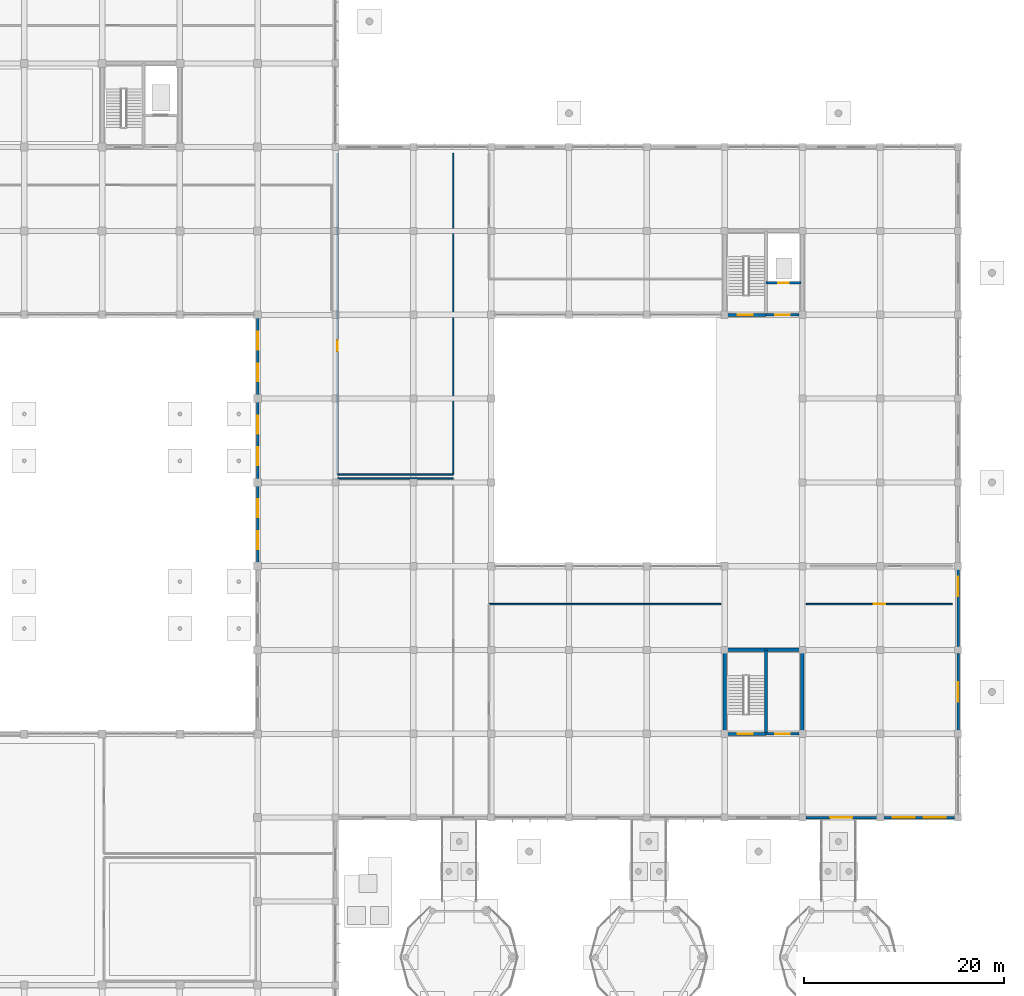
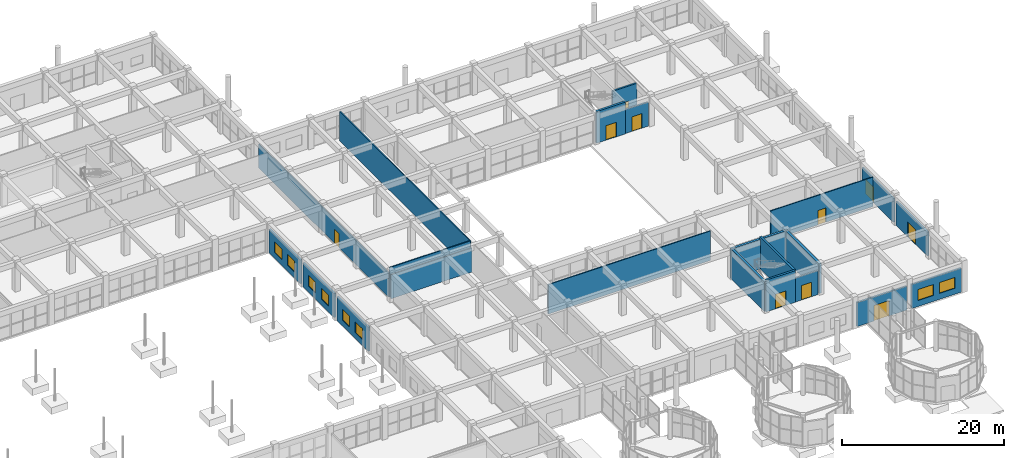
# One storey, part 129 of 139: 22 walls, 10 doors, 8 windows, 18 openings.
"""IFC4 building model written with IfcOpenShell, lengths in metres."""

from ifc_helpers import new_model, si_unit, direction, frame, frame_2d, origin, place, context, subcontext, project, spatial, rectangle, extrude, material, layer, layer_set, type_object, element, fill, save


model = new_model("IFC4")

# Units and contexts
model_context = context("Model", 3, precision=1e-05, world=origin(), true_north=direction((0.0, 1.0)))
body_context = subcontext(model_context, "Body", "Model", "MODEL_VIEW")
ifc_project = project(units=[si_unit("LENGTHUNIT", "METRE"), si_unit("AREAUNIT", "SQUARE_METRE"), si_unit("VOLUMEUNIT", "CUBIC_METRE"), si_unit("PLANEANGLEUNIT", "RADIAN"), si_unit("MASSUNIT", "GRAM", prefix="KILO")], contexts=[model_context])

# Site, building, storey
site_placement = place(None, origin())
site = spatial("IfcSite", under=ifc_project, at=site_placement, CompositionType="ELEMENT")
building_placement = place(site_placement, origin())
building = spatial("IfcBuilding", under=site, at=building_placement, Name="Zizhar Promenade General Hospital", CompositionType="ELEMENT")
storey_placement = place(building_placement, origin())
storey = spatial("IfcBuildingStorey", under=building, at=storey_placement, Name="L00", CompositionType="ELEMENT", Elevation=0.0)

# Wall, opening, door
ifc_material_1 = material(Name="Precast concrete C40/50", Category="concrete")
ifc_layer_1 = layer(ifc_material_1, 0.235107421875)
ifc_layer_set_1 = layer_set([ifc_layer_1], Name="Precast concrete C40/50")
wall_type_1 = type_object("IfcWallType", Name="EW-CLN-235", PredefinedType="STANDARD", material=ifc_layer_set_1)
wall_1_placement = place(storey_placement, frame((195.0, 58.4599609375, 0.0), z_axis=(0.0, 0.0, 1.0), x_axis=(0.0, -1.0, 0.0)))
wall_1 = element("IfcWall", 1, at=wall_1_placement, inside=storey, type_object=wall_type_1, Name="Outpatient East Wall L00-6", PredefinedType="STANDARD", context=body_context, shape_type="SweptSolid", body=[
    extrude(rectangle(XDim=7.719970703125, YDim=0.235107421875, at=frame_2d((3.85986328125, 0.0))), origin(), (0.0, 0.0, 1.0), 3.614990234375),
])
opening_1_placement = place(wall_1_placement, frame((2.8798828125, 0.0, 0.0)))
opening_1 = element("IfcOpeningElement", 2, at=opening_1_placement, cuts=wall_1, Name="Opening ED-02", PredefinedType="OPENING", context=body_context, shape_type="SweptSolid", body=[
    extrude(rectangle(XDim=1.9599609375, YDim=2.199951171875, at=frame_2d((0.97998046875, 1.10009765625))), frame((0.0, 0.12744140625, 0.0), z_axis=(0.0, -1.0, 0.0), x_axis=(1.0, 0.0, 0.0)), (0.0, 0.0, 1.0), 0.255126953125),
])
ifc_material_2 = material(Name="Anodised aluminium 6063-T6 and laminated safety glass", Category="aluminium")
door_type_1 = type_object("IfcDoorType", Name="DR-EXT-EXIT-196x220", OperationType="DOUBLE_DOOR_SINGLE_SWING", PredefinedType="DOOR", material=ifc_material_2)
door_1_placement = place(opening_1_placement, origin())
door_1 = element("IfcDoor", 3, at=door_1_placement, inside=storey, type_object=door_type_1, Name="Outpatient East Final Exit 6", OperationType="DOUBLE_DOOR_SINGLE_SWING", OverallHeight=2.199951171875, OverallWidth=1.9599609375, PredefinedType="DOOR", context=body_context, shape_type="SweptSolid", body=[
    extrude(rectangle(XDim=1.9599609375, YDim=2.199951171875, at=frame_2d((0.97998046875, 1.10009765625))), frame((0.0, 0.02490234375, 0.0), z_axis=(0.0, -1.0, 0.0), x_axis=(1.0, 0.0, 0.0)), (0.0, 0.0, 1.0), 0.050048828125),
])
fill(opening_1, door_1)

wall_2_placement = place(storey_placement, frame((195.0, 66.860107421875, 0.0), z_axis=(0.0, 0.0, 1.0), x_axis=(0.0, -1.0, 0.0)))
wall_2 = element("IfcWall", 4, at=wall_2_placement, inside=storey, type_object=wall_type_1, Name="Outpatient East Wall L00-7", PredefinedType="STANDARD", context=body_context, shape_type="SweptSolid", body=[
    extrude(rectangle(XDim=7.72021484375, YDim=0.235107421875, at=frame_2d((3.860107421875, 0.0))), origin(), (0.0, 0.0, 1.0), 3.614990234375),
])
opening_2_placement = place(wall_2_placement, frame((0.718505859375, 0.0, 0.0)))
opening_2 = element("IfcOpeningElement", 5, at=opening_2_placement, cuts=wall_2, Name="Opening ED-02", PredefinedType="OPENING", context=body_context, shape_type="SweptSolid", body=[
    extrude(rectangle(XDim=1.9599609375, YDim=2.199951171875, at=frame_2d((0.97998046875, 1.10009765625))), frame((0.0, 0.12744140625, 0.0), z_axis=(0.0, -1.0, 0.0), x_axis=(1.0, 0.0, 0.0)), (0.0, 0.0, 1.0), 0.255126953125),
])
door_2_placement = place(opening_2_placement, origin())
door_2 = element("IfcDoor", 6, at=door_2_placement, inside=storey, type_object=door_type_1, Name="Outpatient East Final Exit 7", OperationType="DOUBLE_DOOR_SINGLE_SWING", OverallHeight=2.199951171875, OverallWidth=1.9599609375, PredefinedType="DOOR", context=body_context, shape_type="SweptSolid", body=[
    extrude(rectangle(XDim=1.9599609375, YDim=2.199951171875, at=frame_2d((0.97998046875, 1.10009765625))), frame((0.0, 0.02490234375, 0.0), z_axis=(0.0, -1.0, 0.0), x_axis=(1.0, 0.0, 0.0)), (0.0, 0.0, 1.0), 0.050048828125),
])
fill(opening_2, door_2)

wall_3_placement = place(storey_placement, frame((186.860107421875, 42.0, 0.0), z_axis=(0.0, 0.0, 1.0), x_axis=(-1.0, 0.0, 0.0)))
wall_3 = element("IfcWall", 7, at=wall_3_placement, inside=storey, type_object=wall_type_1, Name="Outpatient Pavilion Link Portal Wall 23", PredefinedType="STANDARD", context=body_context, shape_type="SweptSolid", body=[
    extrude(rectangle(XDim=7.1201171875, YDim=0.235107421875, at=frame_2d((3.56005859375, 0.0))), origin(), (0.0, 0.0, 1.0), 3.6298828125),
])
opening_3_placement = place(wall_3_placement, frame((2.4599609375, 0.0, 0.0)))
opening_3 = element("IfcOpeningElement", 8, at=opening_3_placement, cuts=wall_3, Name="Opening ED-01", PredefinedType="OPENING", context=body_context, shape_type="SweptSolid", body=[
    extrude(rectangle(XDim=2.199951171875, YDim=2.35009765625, at=frame_2d((1.10009765625, 1.175048828125))), frame((0.0, 0.12744140625, 0.0), z_axis=(0.0, -1.0, 0.0), x_axis=(1.0, 0.0, 0.0)), (0.0, 0.0, 1.0), 0.255126953125),
])
ifc_material_3 = material(Name="Anodised aluminium 6063-T6 and laminated safety glass", Category="aluminium")
door_type_2 = type_object("IfcDoorType", Name="DR-EXT-MAIN-220x235", OperationType="DOUBLE_DOOR_SINGLE_SWING", PredefinedType="DOOR", material=ifc_material_3)
door_3_placement = place(opening_3_placement, origin())
door_3 = element("IfcDoor", 9, at=door_3_placement, inside=storey, type_object=door_type_2, Name="Pavilion Link Forecourt Portal 23", OperationType="DOUBLE_DOOR_SINGLE_SWING", OverallHeight=2.35009765625, OverallWidth=2.199951171875, PredefinedType="DOOR", context=body_context, shape_type="SweptSolid", body=[
    extrude(rectangle(XDim=2.199951171875, YDim=2.35009765625, at=frame_2d((1.10009765625, 1.175048828125))), frame((0.0, 0.02490234375, 0.0), z_axis=(0.0, -1.0, 0.0), x_axis=(1.0, 0.0, 0.0)), (0.0, 0.0, 1.0), 0.050048828125),
])
fill(opening_3, door_3)

# Wall, openings, windows
wall_4_placement = place(storey_placement, frame((194.659912109375, 42.0, 0.0), z_axis=(0.0, 0.0, 1.0), x_axis=(-1.0, 0.0, 0.0)))
wall_4 = element("IfcWall", 10, at=wall_4_placement, inside=storey, type_object=wall_type_1, Name="Outpatient Forecourt South Wall L00-24", PredefinedType="STANDARD", context=body_context, shape_type="SweptSolid", body=[
    extrude(rectangle(XDim=7.119873046875, YDim=0.235107421875, at=frame_2d((3.56005859375, 0.0))), origin(), (0.0, 0.0, 1.0), 3.6298828125),
])
opening_4_placement = place(wall_4_placement, frame((0.90673828125, 0.0, 0.89990234375)))
opening_4 = element("IfcOpeningElement", 11, at=opening_4_placement, cuts=wall_4, Name="Opening W-07", PredefinedType="OPENING", context=body_context, shape_type="SweptSolid", body=[
    extrude(rectangle(XDim=2.199951171875, YDim=1.64990234375, at=frame_2d((1.10009765625, 0.824951171875))), frame((0.0, 0.12744140625, 0.0), z_axis=(0.0, -1.0, 0.0), x_axis=(1.0, 0.0, 0.0)), (0.0, 0.0, 1.0), 0.255126953125),
])
opening_5_placement = place(wall_4_placement, frame((4.01318359375, 0.0, 0.89990234375)))
opening_5 = element("IfcOpeningElement", 12, at=opening_5_placement, cuts=wall_4, Name="Opening W-07", PredefinedType="OPENING", context=body_context, shape_type="SweptSolid", body=[
    extrude(rectangle(XDim=2.199951171875, YDim=1.64990234375, at=frame_2d((1.10009765625, 0.824951171875))), frame((0.0, 0.12744140625, 0.0), z_axis=(0.0, -1.0, 0.0), x_axis=(1.0, 0.0, 0.0)), (0.0, 0.0, 1.0), 0.255126953125),
])
ifc_material_4 = material(Name="Anodised aluminium 6063-T6 and low-E glass", Category="aluminium")
window_type_1 = type_object("IfcWindowType", Name="WIN-CLN-220x165", PartitioningType="DOUBLE_PANEL_VERTICAL", PredefinedType="WINDOW", material=ifc_material_4)
window_1_placement = place(opening_4_placement, origin())
window_1 = element("IfcWindow", 13, at=window_1_placement, inside=storey, type_object=window_type_1, Name="Outpatient Forecourt South Wall L00-24 Window 1", OverallHeight=1.64990234375, OverallWidth=2.199951171875, PartitioningType="SINGLE_PANEL", PredefinedType="WINDOW", context=body_context, shape_type="SweptSolid", body=[
    extrude(rectangle(XDim=2.199951171875, YDim=1.64990234375, at=frame_2d((1.10009765625, 0.824951171875))), frame((0.0, 0.030029296875, 0.0), z_axis=(0.0, -1.0, 0.0), x_axis=(1.0, 0.0, 0.0)), (0.0, 0.0, 1.0), 0.06005859375),
])
fill(opening_4, window_1)
window_2_placement = place(opening_5_placement, origin())
window_2 = element("IfcWindow", 14, at=window_2_placement, inside=storey, type_object=window_type_1, Name="Outpatient Forecourt South Wall L00-24 Window 2", OverallHeight=1.64990234375, OverallWidth=2.199951171875, PartitioningType="SINGLE_PANEL", PredefinedType="WINDOW", context=body_context, shape_type="SweptSolid", body=[
    extrude(rectangle(XDim=2.199951171875, YDim=1.64990234375, at=frame_2d((1.10009765625, 0.824951171875))), frame((0.0, 0.030029296875, 0.0), z_axis=(0.0, -1.0, 0.0), x_axis=(1.0, 0.0, 0.0)), (0.0, 0.0, 1.0), 0.06005859375),
])
fill(opening_5, window_2)

ifc_material_5 = material(Name="Precast concrete C40/50", Category="concrete")
ifc_layer_2 = layer(ifc_material_5, 0.260009765625)
ifc_layer_set_2 = layer_set([ifc_layer_2], Name="Precast concrete C40/50")
wall_type_2 = type_object("IfcWallType", Name="EW-PC-260", PredefinedType="STANDARD", material=ifc_layer_set_2)
wall_5_placement = place(storey_placement, frame((124.800048828125, 75.260009765625, 0.0), z_axis=(0.0, 0.0, 1.0), x_axis=(0.0, -1.0, 0.0)))
wall_5 = element("IfcWall", 15, at=wall_5_placement, inside=storey, type_object=wall_type_2, Name="Garden Court East Wall L00-8", PredefinedType="STANDARD", context=body_context, shape_type="SweptSolid", body=[
    extrude(rectangle(XDim=7.719970703125, YDim=0.260009765625, at=frame_2d((3.85986328125, 0.0))), origin(), (0.0, 0.0, 1.0), 3.614990234375),
])
opening_6_placement = place(wall_5_placement, frame((1.373291015625, 0.0, 0.89990234375)))
opening_6 = element("IfcOpeningElement", 16, at=opening_6_placement, cuts=wall_5, Name="Opening W-08", PredefinedType="OPENING", context=body_context, shape_type="SweptSolid", body=[
    extrude(rectangle(XDim=1.800048828125, YDim=1.64990234375, at=frame_2d((0.89990234375, 0.824951171875))), frame((0.0, 0.14013671875, 0.0), z_axis=(0.0, -1.0, 0.0), x_axis=(1.0, 0.0, 0.0)), (0.0, 0.0, 1.0), 0.280029296875),
])
opening_7_placement = place(wall_5_placement, frame((4.546630859375, 0.0, 0.89990234375)))
opening_7 = element("IfcOpeningElement", 17, at=opening_7_placement, cuts=wall_5, Name="Opening W-08", PredefinedType="OPENING", context=body_context, shape_type="SweptSolid", body=[
    extrude(rectangle(XDim=1.800048828125, YDim=1.64990234375, at=frame_2d((0.89990234375, 0.824951171875))), frame((0.0, 0.14013671875, 0.0), z_axis=(0.0, -1.0, 0.0), x_axis=(1.0, 0.0, 0.0)), (0.0, 0.0, 1.0), 0.280029296875),
])
ifc_material_6 = material(Name="Anodised aluminium 6063-T6 and low-E glass", Category="aluminium")
window_type_2 = type_object("IfcWindowType", Name="WIN-CLN-180x165", PartitioningType="DOUBLE_PANEL_VERTICAL", PredefinedType="WINDOW", material=ifc_material_6)
window_3_placement = place(opening_6_placement, origin())
window_3 = element("IfcWindow", 18, at=window_3_placement, inside=storey, type_object=window_type_2, Name="Garden Court East Wall L00-8 Window 1", OverallHeight=1.64990234375, OverallWidth=1.800048828125, PartitioningType="SINGLE_PANEL", PredefinedType="WINDOW", context=body_context, shape_type="SweptSolid", body=[
    extrude(rectangle(XDim=1.800048828125, YDim=1.64990234375, at=frame_2d((0.89990234375, 0.824951171875))), frame((0.0, 0.030029296875, 0.0), z_axis=(0.0, -1.0, 0.0), x_axis=(1.0, 0.0, 0.0)), (0.0, 0.0, 1.0), 0.06005859375),
])
fill(opening_6, window_3)
window_4_placement = place(opening_7_placement, origin())
window_4 = element("IfcWindow", 19, at=window_4_placement, inside=storey, type_object=window_type_2, Name="Garden Court East Wall L00-8 Window 2", OverallHeight=1.64990234375, OverallWidth=1.800048828125, PartitioningType="SINGLE_PANEL", PredefinedType="WINDOW", context=body_context, shape_type="SweptSolid", body=[
    extrude(rectangle(XDim=1.800048828125, YDim=1.64990234375, at=frame_2d((0.89990234375, 0.824951171875))), frame((0.0, 0.030029296875, 0.0), z_axis=(0.0, -1.0, 0.0), x_axis=(1.0, 0.0, 0.0)), (0.0, 0.0, 1.0), 0.06005859375),
])
fill(opening_7, window_4)

wall_6_placement = place(storey_placement, frame((124.800048828125, 83.659912109375, 0.0), z_axis=(0.0, 0.0, 1.0), x_axis=(0.0, -1.0, 0.0)))
wall_6 = element("IfcWall", 20, at=wall_6_placement, inside=storey, type_object=wall_type_2, Name="Garden Court East Wall L00-9", PredefinedType="STANDARD", context=body_context, shape_type="SweptSolid", body=[
    extrude(rectangle(XDim=7.719970703125, YDim=0.260009765625, at=frame_2d((3.85986328125, 0.0))), origin(), (0.0, 0.0, 1.0), 3.614990234375),
])
opening_8_placement = place(wall_6_placement, frame((1.373291015625, 0.0, 0.89990234375)))
opening_8 = element("IfcOpeningElement", 21, at=opening_8_placement, cuts=wall_6, Name="Opening W-08", PredefinedType="OPENING", context=body_context, shape_type="SweptSolid", body=[
    extrude(rectangle(XDim=1.800048828125, YDim=1.64990234375, at=frame_2d((0.89990234375, 0.824951171875))), frame((0.0, 0.14013671875, 0.0), z_axis=(0.0, -1.0, 0.0), x_axis=(1.0, 0.0, 0.0)), (0.0, 0.0, 1.0), 0.280029296875),
])
opening_9_placement = place(wall_6_placement, frame((4.546630859375, 0.0, 0.89990234375)))
opening_9 = element("IfcOpeningElement", 22, at=opening_9_placement, cuts=wall_6, Name="Opening W-08", PredefinedType="OPENING", context=body_context, shape_type="SweptSolid", body=[
    extrude(rectangle(XDim=1.800048828125, YDim=1.64990234375, at=frame_2d((0.89990234375, 0.824951171875))), frame((0.0, 0.14013671875, 0.0), z_axis=(0.0, -1.0, 0.0), x_axis=(1.0, 0.0, 0.0)), (0.0, 0.0, 1.0), 0.280029296875),
])
window_5_placement = place(opening_8_placement, origin())
window_5 = element("IfcWindow", 23, at=window_5_placement, inside=storey, type_object=window_type_2, Name="Garden Court East Wall L00-9 Window 1", OverallHeight=1.64990234375, OverallWidth=1.800048828125, PartitioningType="SINGLE_PANEL", PredefinedType="WINDOW", context=body_context, shape_type="SweptSolid", body=[
    extrude(rectangle(XDim=1.800048828125, YDim=1.64990234375, at=frame_2d((0.89990234375, 0.824951171875))), frame((0.0, 0.030029296875, 0.0), z_axis=(0.0, -1.0, 0.0), x_axis=(1.0, 0.0, 0.0)), (0.0, 0.0, 1.0), 0.06005859375),
])
fill(opening_8, window_5)
window_6_placement = place(opening_9_placement, origin())
window_6 = element("IfcWindow", 24, at=window_6_placement, inside=storey, type_object=window_type_2, Name="Garden Court East Wall L00-9 Window 2", OverallHeight=1.64990234375, OverallWidth=1.800048828125, PartitioningType="SINGLE_PANEL", PredefinedType="WINDOW", context=body_context, shape_type="SweptSolid", body=[
    extrude(rectangle(XDim=1.800048828125, YDim=1.64990234375, at=frame_2d((0.89990234375, 0.824951171875))), frame((0.0, 0.030029296875, 0.0), z_axis=(0.0, -1.0, 0.0), x_axis=(1.0, 0.0, 0.0)), (0.0, 0.0, 1.0), 0.06005859375),
])
fill(opening_9, window_6)

wall_7_placement = place(storey_placement, frame((124.800048828125, 92.06005859375, 0.0), z_axis=(0.0, 0.0, 1.0), x_axis=(0.0, -1.0, 0.0)))
wall_7 = element("IfcWall", 25, at=wall_7_placement, inside=storey, type_object=wall_type_2, Name="Garden Court East Wall L00-10", PredefinedType="STANDARD", context=body_context, shape_type="SweptSolid", body=[
    extrude(rectangle(XDim=7.719970703125, YDim=0.260009765625, at=frame_2d((3.85986328125, 0.0))), origin(), (0.0, 0.0, 1.0), 3.614990234375),
])
opening_10_placement = place(wall_7_placement, frame((1.373291015625, 0.0, 0.89990234375)))
opening_10 = element("IfcOpeningElement", 26, at=opening_10_placement, cuts=wall_7, Name="Opening W-08", PredefinedType="OPENING", context=body_context, shape_type="SweptSolid", body=[
    extrude(rectangle(XDim=1.800048828125, YDim=1.64990234375, at=frame_2d((0.89990234375, 0.824951171875))), frame((0.0, 0.14013671875, 0.0), z_axis=(0.0, -1.0, 0.0), x_axis=(1.0, 0.0, 0.0)), (0.0, 0.0, 1.0), 0.280029296875),
])
opening_11_placement = place(wall_7_placement, frame((4.546630859375, 0.0, 0.89990234375)))
opening_11 = element("IfcOpeningElement", 27, at=opening_11_placement, cuts=wall_7, Name="Opening W-08", PredefinedType="OPENING", context=body_context, shape_type="SweptSolid", body=[
    extrude(rectangle(XDim=1.800048828125, YDim=1.64990234375, at=frame_2d((0.89990234375, 0.824951171875))), frame((0.0, 0.14013671875, 0.0), z_axis=(0.0, -1.0, 0.0), x_axis=(1.0, 0.0, 0.0)), (0.0, 0.0, 1.0), 0.280029296875),
])
window_7_placement = place(opening_10_placement, origin())
window_7 = element("IfcWindow", 28, at=window_7_placement, inside=storey, type_object=window_type_2, Name="Garden Court East Wall L00-10 Window 1", OverallHeight=1.64990234375, OverallWidth=1.800048828125, PartitioningType="SINGLE_PANEL", PredefinedType="WINDOW", context=body_context, shape_type="SweptSolid", body=[
    extrude(rectangle(XDim=1.800048828125, YDim=1.64990234375, at=frame_2d((0.89990234375, 0.824951171875))), frame((0.0, 0.030029296875, 0.0), z_axis=(0.0, -1.0, 0.0), x_axis=(1.0, 0.0, 0.0)), (0.0, 0.0, 1.0), 0.06005859375),
])
fill(opening_10, window_7)
window_8_placement = place(opening_11_placement, origin())
window_8 = element("IfcWindow", 29, at=window_8_placement, inside=storey, type_object=window_type_2, Name="Garden Court East Wall L00-10 Window 2", OverallHeight=1.64990234375, OverallWidth=1.800048828125, PartitioningType="SINGLE_PANEL", PredefinedType="WINDOW", context=body_context, shape_type="SweptSolid", body=[
    extrude(rectangle(XDim=1.800048828125, YDim=1.64990234375, at=frame_2d((0.89990234375, 0.824951171875))), frame((0.0, 0.030029296875, 0.0), z_axis=(0.0, -1.0, 0.0), x_axis=(1.0, 0.0, 0.0)), (0.0, 0.0, 1.0), 0.06005859375),
])
fill(opening_11, window_8)

# Walls
ifc_material_7 = material(Name="Clinical consultation partition")
ifc_layer_3 = layer(ifc_material_7, 0.14501953125)
ifc_layer_set_3 = layer_set([ifc_layer_3], Name="Clinical consultation partition")
wall_type_3 = type_object("IfcWallType", Name="IW-CLN-145", PredefinedType="PARTITIONING", material=ifc_layer_set_3)
wall_8_placement = place(storey_placement, frame((132.800048828125, 76.0, 0.0), z_axis=(0.0, 0.0, 1.0), x_axis=(1.0, 0.0, 0.0)))
element("IfcWall", 30, at=wall_8_placement, inside=storey, type_object=wall_type_3, Name="Outpatient Orthopaedic Clinic N Partition", PredefinedType="PARTITIONING", context=body_context, shape_type="SweptSolid", body=[
    extrude(rectangle(XDim=11.599853515625, YDim=0.14501953125, at=frame_2d((5.7998046875, 0.0))), origin(), (0.0, 0.0, 1.0), 3.6298828125),
])
wall_9_placement = place(storey_placement, frame((132.800048828125, 76.39990234375, 0.0), z_axis=(0.0, 0.0, 1.0), x_axis=(1.0, 0.0, 0.0)))
element("IfcWall", 31, at=wall_9_placement, inside=storey, type_object=wall_type_3, Name="Outpatient Fracture Plaster Clinic S Partition", PredefinedType="PARTITIONING", context=body_context, shape_type="SweptSolid", body=[
    extrude(rectangle(XDim=11.599853515625, YDim=0.14501953125, at=frame_2d((5.7998046875, 0.0))), origin(), (0.0, 0.0, 1.0), 4.4599609375),
])

# Wall, opening, door
wall_10_placement = place(storey_placement, frame((132.800048828125, 76.39990234375, 0.0), z_axis=(0.0, 0.0, 1.0), x_axis=(0.0, 1.0, 0.0)))
wall_10 = element("IfcWall", 32, at=wall_10_placement, inside=storey, type_object=wall_type_3, Name="Outpatient Fracture Plaster Clinic W Partition", PredefinedType="PARTITIONING", context=body_context, shape_type="SweptSolid", body=[
    extrude(rectangle(XDim=32.2001953125, YDim=0.14501953125, at=frame_2d((16.10009765625, 0.0))), origin(), (0.0, 0.0, 1.0), 3.614990234375),
])
opening_12_placement = place(wall_10_placement, frame((12.330078125, 0.0, 0.0)))
opening_12 = element("IfcOpeningElement", 33, at=opening_12_placement, cuts=wall_10, Name="Opening D-14", PredefinedType="OPENING", context=body_context, shape_type="SweptSolid", body=[
    extrude(rectangle(XDim=1.10009765625, YDim=2.14990234375, at=frame_2d((0.550048828125, 1.074951171875))), frame((0.0, 0.08251953125, 0.0), z_axis=(0.0, -1.0, 0.0), x_axis=(1.0, 0.0, 0.0)), (0.0, 0.0, 1.0), 0.1650390625),
])
ifc_material_8 = material(Name="Fire-rated timber consultation leaf", Category="wood")
door_type_3 = type_object("IfcDoorType", Name="DR-CLN-CONS-110x215", OperationType="NOTDEFINED", PredefinedType="DOOR", material=ifc_material_8)
door_4_placement = place(opening_12_placement, origin())
door_4 = element("IfcDoor", 34, at=door_4_placement, inside=storey, type_object=door_type_3, Name="Outpatient Fracture Plaster Clinic Door", OperationType="SINGLE_SWING_RIGHT", OverallHeight=2.14990234375, OverallWidth=1.10009765625, PredefinedType="DOOR", context=body_context, shape_type="SweptSolid", body=[
    extrude(rectangle(XDim=1.10009765625, YDim=2.14990234375, at=frame_2d((0.550048828125, 1.074951171875))), frame((0.0, 0.02490234375, 0.0), z_axis=(0.0, -1.0, 0.0), x_axis=(1.0, 0.0, 0.0)), (0.0, 0.0, 1.0), 0.050048828125),
])
fill(opening_12, door_4)

# Walls
wall_11_placement = place(storey_placement, frame((144.39990234375, 76.39990234375, 0.0), z_axis=(0.0, 0.0, 1.0), x_axis=(0.0, 1.0, 0.0)))
element("IfcWall", 35, at=wall_11_placement, inside=storey, type_object=wall_type_3, Name="Outpatient Fracture Plaster Clinic E Partition", PredefinedType="PARTITIONING", context=body_context, shape_type="SweptSolid", body=[
    extrude(rectangle(XDim=32.2001953125, YDim=0.14501953125, at=frame_2d((16.10009765625, 0.0))), origin(), (0.0, 0.0, 1.0), 4.4599609375),
])
wall_12_placement = place(storey_placement, frame((148.0, 63.39990234375, 0.0), z_axis=(0.0, 0.0, 1.0), x_axis=(1.0, 0.0, 0.0)))
element("IfcWall", 36, at=wall_12_placement, inside=storey, type_object=wall_type_3, Name="Rehabilitation Physiotherapy Gym N Partition", PredefinedType="PARTITIONING", context=body_context, shape_type="SweptSolid", body=[
    extrude(rectangle(XDim=23.199951171875, YDim=0.14501953125, at=frame_2d((11.60009765625, 0.0))), origin(), (0.0, 0.0, 1.0), 4.4599609375),
])

# Wall, opening, door
wall_13_placement = place(storey_placement, frame((179.800048828125, 63.39990234375, 0.0), z_axis=(0.0, 0.0, 1.0), x_axis=(1.0, 0.0, 0.0)))
wall_13 = element("IfcWall", 37, at=wall_13_placement, inside=storey, type_object=wall_type_3, Name="Hydrotherapy and Occupational Therapy Suite N Partition", PredefinedType="PARTITIONING", context=body_context, shape_type="SweptSolid", body=[
    extrude(rectangle(XDim=14.599853515625, YDim=0.14501953125, at=frame_2d((7.2998046875, 0.0))), origin(), (0.0, 0.0, 1.0), 4.4599609375),
])
opening_13_placement = place(wall_13_placement, frame((6.72509765625, 0.0, 0.0)))
opening_13 = element("IfcOpeningElement", 38, at=opening_13_placement, cuts=wall_13, Name="Opening D-15", PredefinedType="OPENING", context=body_context, shape_type="SweptSolid", body=[
    extrude(rectangle(XDim=1.14990234375, YDim=2.14990234375, at=frame_2d((0.574951171875, 1.074951171875))), frame((0.0, 0.08251953125, 0.0), z_axis=(0.0, -1.0, 0.0), x_axis=(1.0, 0.0, 0.0)), (0.0, 0.0, 1.0), 0.1650390625),
])
ifc_material_9 = material(Name="Fire-rated timber treatment leaf", Category="wood")
door_type_4 = type_object("IfcDoorType", Name="DR-CLN-TREAT-115x215", OperationType="NOTDEFINED", PredefinedType="DOOR", material=ifc_material_9)
door_5_placement = place(opening_13_placement, origin())
door_5 = element("IfcDoor", 39, at=door_5_placement, inside=storey, type_object=door_type_4, Name="Hydrotherapy and Occupational Therapy Suite Door", OperationType="SINGLE_SWING_RIGHT", OverallHeight=2.14990234375, OverallWidth=1.14990234375, PredefinedType="DOOR", context=body_context, shape_type="SweptSolid", body=[
    extrude(rectangle(XDim=1.14990234375, YDim=2.14990234375, at=frame_2d((0.574951171875, 1.074951171875))), frame((0.0, 0.02490234375, 0.0), z_axis=(0.0, -1.0, 0.0), x_axis=(1.0, 0.0, 0.0)), (0.0, 0.0, 1.0), 0.050048828125),
])
fill(opening_13, door_5)

ifc_material_10 = material(Name="Concrete C35/45", Category="concrete")
ifc_layer_4 = layer(ifc_material_10, 0.215087890625)
ifc_layer_set_4 = layer_set([ifc_layer_4], Name="Concrete C35/45")
wall_type_4 = type_object("IfcWallType", Name="IW-LOBBY-215", PredefinedType="STANDARD", material=ifc_layer_set_4)
wall_14_placement = place(storey_placement, frame((175.75, 92.39990234375, 0.0), z_axis=(0.0, 0.0, 1.0), x_axis=(1.0, 0.0, 0.0)))
wall_14 = element("IfcWall", 40, at=wall_14_placement, inside=storey, type_object=wall_type_4, Name="Core C8 Lift Lobby South Fire Wall (L00)", PredefinedType="STANDARD", context=body_context, shape_type="SweptSolid", body=[
    extrude(rectangle(XDim=3.2900390625, YDim=0.215087890625, at=frame_2d((1.64501953125, 0.0))), origin(), (0.0, 0.0, 1.0), 3.6298828125),
])
opening_14_placement = place(wall_14_placement, frame((0.925048828125, 0.0, 0.0)))
opening_14 = element("IfcOpeningElement", 41, at=opening_14_placement, cuts=wall_14, Name="Opening D-23", PredefinedType="OPENING", context=body_context, shape_type="SweptSolid", body=[
    extrude(rectangle(XDim=1.43994140625, YDim=2.199951171875, at=frame_2d((0.719970703125, 1.10009765625))), frame((0.0, 0.11767578125, 0.0), z_axis=(0.0, -1.0, 0.0), x_axis=(1.0, 0.0, 0.0)), (0.0, 0.0, 1.0), 0.235107421875),
])
ifc_material_11 = material(Name="Fire-rated timber lift lobby pair", Category="wood")
door_type_5 = type_object("IfcDoorType", Name="DR-LOBBY-PR-144x220", OperationType="DOUBLE_DOOR_SINGLE_SWING", PredefinedType="DOOR", material=ifc_material_11)
door_6_placement = place(opening_14_placement, origin())
door_6 = element("IfcDoor", 42, at=door_6_placement, inside=storey, type_object=door_type_5, Name="Core C8 Protected Lift Lobby Door (L00)", OperationType="DOUBLE_DOOR_SINGLE_SWING", OverallHeight=2.199951171875, OverallWidth=1.43994140625, PredefinedType="DOOR", context=body_context, shape_type="SweptSolid", body=[
    extrude(rectangle(XDim=1.43994140625, YDim=2.199951171875, at=frame_2d((0.719970703125, 1.10009765625))), frame((0.0, 0.02490234375, 0.0), z_axis=(0.0, -1.0, 0.0), x_axis=(1.0, 0.0, 0.0)), (0.0, 0.0, 1.0), 0.050048828125),
])
fill(opening_14, door_6)

wall_15_placement = place(storey_placement, frame((175.75, 50.39990234375, 0.0), z_axis=(0.0, 0.0, 1.0), x_axis=(1.0, 0.0, 0.0)))
wall_15 = element("IfcWall", 43, at=wall_15_placement, inside=storey, type_object=wall_type_4, Name="Core C9 Lift Lobby South Fire Wall (L00)", PredefinedType="STANDARD", context=body_context, shape_type="SweptSolid", body=[
    extrude(rectangle(XDim=3.2900390625, YDim=0.215087890625, at=frame_2d((1.64501953125, 0.0))), origin(), (0.0, 0.0, 1.0), 3.6298828125),
])
opening_15_placement = place(wall_15_placement, frame((0.925048828125, 0.0, 0.0)))
opening_15 = element("IfcOpeningElement", 44, at=opening_15_placement, cuts=wall_15, Name="Opening D-23", PredefinedType="OPENING", context=body_context, shape_type="SweptSolid", body=[
    extrude(rectangle(XDim=1.43994140625, YDim=2.199951171875, at=frame_2d((0.719970703125, 1.10009765625))), frame((0.0, 0.11767578125, 0.0), z_axis=(0.0, -1.0, 0.0), x_axis=(1.0, 0.0, 0.0)), (0.0, 0.0, 1.0), 0.235107421875),
])
door_7_placement = place(opening_15_placement, origin())
door_7 = element("IfcDoor", 45, at=door_7_placement, inside=storey, type_object=door_type_5, Name="Core C9 Protected Lift Lobby Door (L00)", OperationType="DOUBLE_DOOR_SINGLE_SWING", OverallHeight=2.199951171875, OverallWidth=1.43994140625, PredefinedType="DOOR", context=body_context, shape_type="SweptSolid", body=[
    extrude(rectangle(XDim=1.43994140625, YDim=2.199951171875, at=frame_2d((0.719970703125, 1.10009765625))), frame((0.0, 0.02490234375, 0.0), z_axis=(0.0, -1.0, 0.0), x_axis=(1.0, 0.0, 0.0)), (0.0, 0.0, 1.0), 0.050048828125),
])
fill(opening_15, door_7)

ifc_material_12 = material(Name="Concrete C35/45", Category="concrete")
ifc_layer_5 = layer(ifc_material_12, 0.25)
ifc_layer_set_5 = layer_set([ifc_layer_5], Name="Concrete C35/45")
wall_type_5 = type_object("IfcWallType", Name="IW-SHAFT-250", PredefinedType="STANDARD", material=ifc_layer_set_5)
wall_16_placement = place(storey_placement, frame((175.75, 95.60009765625, 0.0), z_axis=(0.0, 0.0, 1.0), x_axis=(1.0, 0.0, 0.0)))
wall_16 = element("IfcWall", 46, at=wall_16_placement, inside=storey, type_object=wall_type_5, Name="Core C8 Lift Shaft Landing Wall (L00)", PredefinedType="STANDARD", context=body_context, shape_type="SweptSolid", body=[
    extrude(rectangle(XDim=3.5, YDim=0.25, at=frame_2d((1.75, 0.0))), origin(), (0.0, 0.0, 1.0), 4.4599609375),
])
opening_16_placement = place(wall_16_placement, frame((1.199951171875, 0.0, 0.0)))
opening_16 = element("IfcOpeningElement", 47, at=opening_16_placement, cuts=wall_16, Name="Opening LD-11", PredefinedType="OPENING", context=body_context, shape_type="SweptSolid", body=[
    extrude(rectangle(XDim=1.10009765625, YDim=2.199951171875, at=frame_2d((0.550048828125, 1.10009765625))), frame((0.0, 0.135009765625, 0.0), z_axis=(0.0, -1.0, 0.0), x_axis=(1.0, 0.0, 0.0)), (0.0, 0.0, 1.0), 0.27001953125),
])
ifc_material_13 = material(Name="Stainless Steel S355 passenger lift landing door", Category="steel")
door_type_6 = type_object("IfcDoorType", Name="DR-LIFT-LD11", OperationType="SLIDING_TO_LEFT", PredefinedType="DOOR", material=ifc_material_13)
door_8_placement = place(opening_16_placement, origin())
door_8 = element("IfcDoor", 48, at=door_8_placement, inside=storey, type_object=door_type_6, Name="Lift LP-04 Sliding Landing Door (L00)", OperationType="SLIDING_TO_LEFT", OverallHeight=2.199951171875, OverallWidth=1.10009765625, PredefinedType="DOOR", context=body_context, shape_type="SweptSolid", body=[
    extrude(rectangle(XDim=1.10009765625, YDim=2.199951171875, at=frame_2d((0.550048828125, 1.10009765625))), frame((0.0, 0.02490234375, 0.0), z_axis=(0.0, -1.0, 0.0), x_axis=(1.0, 0.0, 0.0)), (0.0, 0.0, 1.0), 0.050048828125),
])
fill(opening_16, door_8)

ifc_material_14 = material(Name="Concrete C40/50", Category="concrete")
ifc_layer_6 = layer(ifc_material_14, 0.300048828125)
ifc_layer_set_6 = layer_set([ifc_layer_6], Name="Concrete C40/50")
wall_type_6 = type_object("IfcWallType", Name="WL-CORE-300", PredefinedType="SHEAR", material=ifc_layer_set_6)
wall_17_placement = place(storey_placement, frame((171.60009765625, 92.39990234375, 0.0), z_axis=(0.0, 0.0, 1.0), x_axis=(1.0, 0.0, 0.0)))
wall_17 = element("IfcWall", 49, at=wall_17_placement, inside=storey, type_object=wall_type_6, Name="Core C8 Stair South Fire Wall (L00)", PredefinedType="SHEAR", context=body_context, shape_type="SweptSolid", body=[
    extrude(rectangle(XDim=4.14990234375, YDim=0.300048828125, at=frame_2d((2.074951171875, 0.0))), origin(), (0.0, 0.0, 1.0), 4.800048828125),
])
opening_17_placement = place(wall_17_placement, frame((1.3349609375, 0.0, 0.0)))
opening_17 = element("IfcOpeningElement", 50, at=opening_17_placement, cuts=wall_17, Name="Opening D-20", PredefinedType="OPENING", context=body_context, shape_type="SweptSolid", body=[
    extrude(rectangle(XDim=1.47998046875, YDim=2.199951171875, at=frame_2d((0.739990234375, 1.10009765625))), frame((0.0, 0.16015625, 0.0), z_axis=(0.0, -1.0, 0.0), x_axis=(1.0, 0.0, 0.0)), (0.0, 0.0, 1.0), 0.320068359375),
])
ifc_material_15 = material(Name="Steel S355 fire-exit pair", Category="steel")
door_type_7 = type_object("IfcDoorType", Name="DR-STAIR-148x220", OperationType="DOUBLE_DOOR_SINGLE_SWING", PredefinedType="DOOR", material=ifc_material_15)
door_9_placement = place(opening_17_placement, origin())
door_9 = element("IfcDoor", 51, at=door_9_placement, inside=storey, type_object=door_type_7, Name="Exit Stair ST-08 Door (L00)", OperationType="DOUBLE_DOOR_SINGLE_SWING", OverallHeight=2.199951171875, OverallWidth=1.47998046875, PredefinedType="DOOR", context=body_context, shape_type="SweptSolid", body=[
    extrude(rectangle(XDim=1.47998046875, YDim=2.199951171875, at=frame_2d((0.739990234375, 1.10009765625))), frame((0.0, 0.02490234375, 0.0), z_axis=(0.0, -1.0, 0.0), x_axis=(1.0, 0.0, 0.0)), (0.0, 0.0, 1.0), 0.050048828125),
])
fill(opening_17, door_9)

wall_18_placement = place(storey_placement, frame((171.60009765625, 50.39990234375, 0.0), z_axis=(0.0, 0.0, 1.0), x_axis=(1.0, 0.0, 0.0)))
wall_18 = element("IfcWall", 52, at=wall_18_placement, inside=storey, type_object=wall_type_6, Name="Core C9 Stair South Fire Wall (L00)", PredefinedType="SHEAR", context=body_context, shape_type="SweptSolid", body=[
    extrude(rectangle(XDim=4.14990234375, YDim=0.300048828125, at=frame_2d((2.074951171875, 0.0))), origin(), (0.0, 0.0, 1.0), 4.800048828125),
])
opening_18_placement = place(wall_18_placement, frame((1.3349609375, 0.0, 0.0)))
opening_18 = element("IfcOpeningElement", 53, at=opening_18_placement, cuts=wall_18, Name="Opening D-20", PredefinedType="OPENING", context=body_context, shape_type="SweptSolid", body=[
    extrude(rectangle(XDim=1.47998046875, YDim=2.199951171875, at=frame_2d((0.739990234375, 1.10009765625))), frame((0.0, 0.16015625, 0.0), z_axis=(0.0, -1.0, 0.0), x_axis=(1.0, 0.0, 0.0)), (0.0, 0.0, 1.0), 0.320068359375),
])
door_10_placement = place(opening_18_placement, origin())
door_10 = element("IfcDoor", 54, at=door_10_placement, inside=storey, type_object=door_type_7, Name="Exit Stair ST-09 Door (L00)", OperationType="DOUBLE_DOOR_SINGLE_SWING", OverallHeight=2.199951171875, OverallWidth=1.47998046875, PredefinedType="DOOR", context=body_context, shape_type="SweptSolid", body=[
    extrude(rectangle(XDim=1.47998046875, YDim=2.199951171875, at=frame_2d((0.739990234375, 1.10009765625))), frame((0.0, 0.02490234375, 0.0), z_axis=(0.0, -1.0, 0.0), x_axis=(1.0, 0.0, 0.0)), (0.0, 0.0, 1.0), 0.050048828125),
])
fill(opening_18, door_10)

# Walls
wall_19_placement = place(storey_placement, frame((175.75, 50.39990234375, 0.0), z_axis=(0.0, 0.0, 1.0), x_axis=(0.0, 1.0, 0.0)))
element("IfcWall", 55, at=wall_19_placement, inside=storey, type_object=wall_type_6, Name="Core C9 Stair-Shaft Separation Wall (L00)", PredefinedType="SHEAR", context=body_context, shape_type="SweptSolid", body=[
    extrude(rectangle(XDim=8.400146484375, YDim=0.300048828125, at=frame_2d((4.2001953125, 0.0))), origin(), (0.0, 0.0, 1.0), 4.800048828125),
])
ifc_material_16 = material(Name="Concrete C40/50", Category="concrete")
ifc_layer_7 = layer(ifc_material_16, 0.35009765625)
ifc_layer_set_7 = layer_set([ifc_layer_7], Name="Concrete C40/50")
wall_type_7 = type_object("IfcWallType", Name="WL-CORE-350", PredefinedType="SHEAR", material=ifc_layer_set_7)
wall_20_placement = place(storey_placement, frame((171.425048828125, 58.800048828125, 0.0), z_axis=(0.0, 0.0, 1.0), x_axis=(1.0, 0.0, 0.0)))
element("IfcWall", 56, at=wall_20_placement, inside=storey, type_object=wall_type_7, Name="Core C9 North Shear Wall L00", PredefinedType="SHEAR", context=body_context, shape_type="SweptSolid", body=[
    extrude(rectangle(XDim=8.14990234375, YDim=0.35009765625, at=frame_2d((4.074951171875, 0.0))), origin(), (0.0, 0.0, 1.0), 4.47998046875),
])
for number, where, z_axis, x_axis, name in (
    (57, (171.60009765625, 50.39990234375, 0.0), (0.0, 0.0, 1.0), (0.0, 1.0, 0.0), "Core C9 West Shear Wall L00"),
    (58, (179.39990234375, 50.39990234375, 0.0), (0.0, 0.0, 1.0), (0.0, 1.0, 0.0), "Core C9 East Shear Wall L00"),
):
    element("IfcWall", number, at=place(storey_placement, frame(where, z_axis=z_axis, x_axis=x_axis)), inside=storey, type_object=wall_type_7, Name=name, PredefinedType="SHEAR", context=body_context, shape_type="SweptSolid", body=[
        extrude(rectangle(XDim=8.400146484375, YDim=0.35009765625, at=frame_2d((4.2001953125, 0.0))), origin(), (0.0, 0.0, 1.0), 4.47998046875),
    ])

save(model, "model.ifc")
